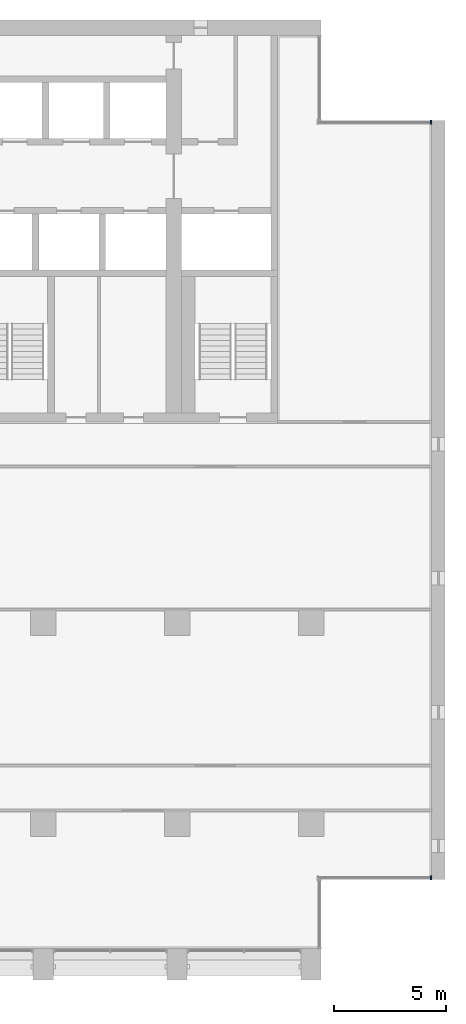
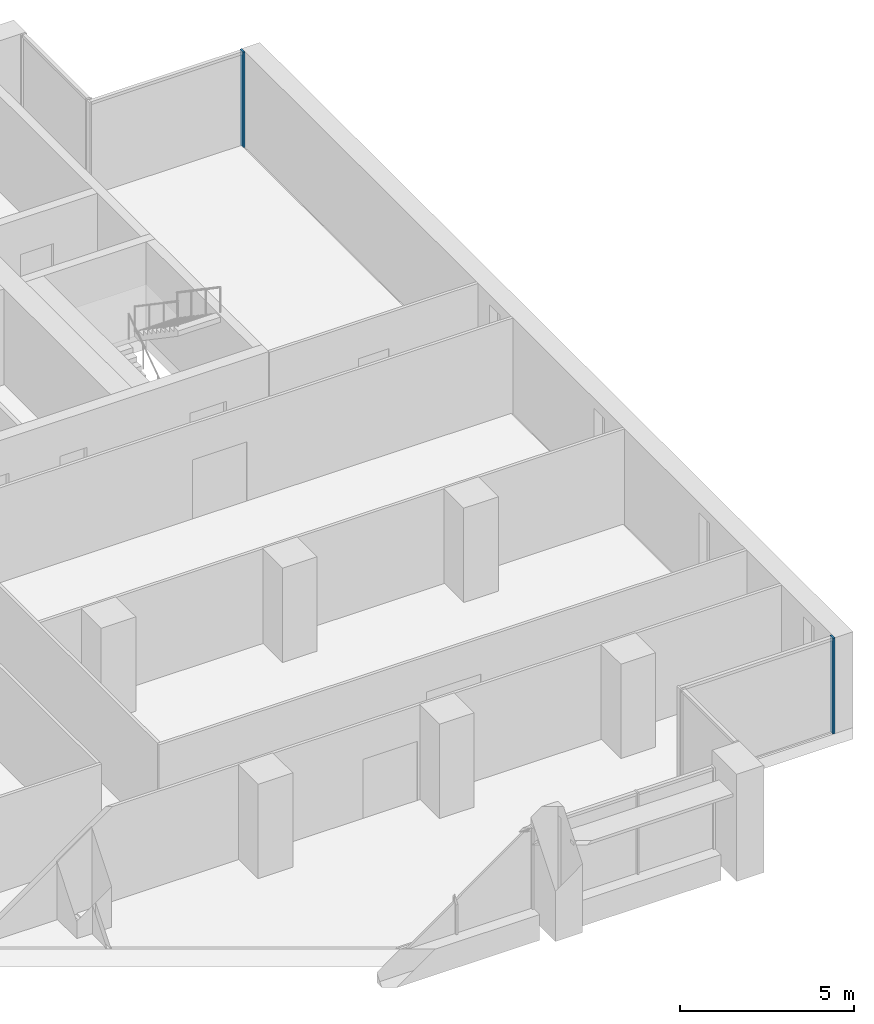
# One storey, part 6 of 16: 2 members, 2 elements without a shape of their own.
"""IFC4 building model written with IfcOpenShell, lengths in metres."""

import ifcopenshell
import ifcopenshell.guid

model = None  # the IFC model being written
_history = None  # IfcOwnerHistory: only IFC2X3 demands one
_inside = {}  # id of a spatial element -> (the spatial element, [elements in it])
_under = {}  # id of a project, library or spatial element -> (it, [spatial elements below it])
_declared = {}  # id of a project -> (the project, [libraries it declares])
_typed = {}  # id of a type object -> (the type object, [elements of that type])
_made_of = {}  # id of a material, layer set ... -> (it, [elements and type objects made of it])


def new_model(schema):
    """Start an empty IFC model of exactly this schema.

    Asked for "IFC4X3", IfcOpenShell would pick the latest addendum, in which some entities
    have other attributes; the version numbers below select the first issue.
    IFC2X3 requires an IfcOwnerHistory on every rooted entity: one is made here for all.
    """
    global model, _history
    if schema == "IFC4X3":
        model = ifcopenshell.file(schema_version=(4, 3, 0, 0))
    else:
        model = ifcopenshell.file(schema=schema)
    _inside.clear()
    _under.clear()
    _declared.clear()
    _typed.clear()
    _made_of.clear()
    _history = None
    if model.schema == "IFC2X3":
        org = make("IfcOrganization", Name="unknown")
        user = make(
            "IfcPersonAndOrganization",
            ThePerson=make("IfcPerson", FamilyName="unknown"),
            TheOrganization=org,
        )
        app = make(
            "IfcApplication",
            ApplicationDeveloper=org,
            Version="unknown",
            ApplicationFullName="unknown",
            ApplicationIdentifier="unknown",
        )
        _history = make(
            "IfcOwnerHistory",
            OwningUser=user,
            OwningApplication=app,
            ChangeAction="ADDED",
            CreationDate=0,
        )
    return model


def make(cls, **values):
    """One entity of the class cls with the attributes given. An attribute that is None is left unset."""
    return model.create_entity(
        cls, **{name: value for name, value in values.items() if value is not None}
    )


def rooted(cls, **values):
    """An entity with a GlobalId (a new one), such as an element, a storey or a relation."""
    return make(cls, GlobalId=ifcopenshell.guid.new(), OwnerHistory=_history, **values)


def si_unit(unit_type, name, prefix=None):
    """IfcSIUnit, for example si_unit("LENGTHUNIT", "METRE", prefix="MILLI")."""
    return make("IfcSIUnit", UnitType=unit_type, Prefix=prefix, Name=name)


def assignment(units):
    """IfcUnitAssignment: the units of a project."""
    return None if units is None else make("IfcUnitAssignment", Units=units)


def point(xyz):
    """IfcCartesianPoint."""
    return None if xyz is None else make("IfcCartesianPoint", Coordinates=xyz)


def direction(xyz):
    """IfcDirection."""
    return None if xyz is None else make("IfcDirection", DirectionRatios=xyz)


def frame(location, z_axis=None, x_axis=None):
    """IfcAxis2Placement3D, a coordinate frame: its origin and axes. An axis left out is left unset."""
    return make(
        "IfcAxis2Placement3D",
        Location=point(location),
        Axis=direction(z_axis),
        RefDirection=direction(x_axis),
    )


def frame_2d(location, x_axis=None):
    """IfcAxis2Placement2D, a coordinate frame in the plane: its origin and x axis."""
    return make(
        "IfcAxis2Placement2D", Location=point(location), RefDirection=direction(x_axis)
    )


def origin():
    """The frame at (0, 0, 0) with its axes left unset."""
    return frame((0.0, 0.0, 0.0))


def origin_2d():
    """The frame at (0, 0) in the plane with its x axis left unset."""
    return frame_2d((0.0, 0.0))


def place(relative_to, where):
    """IfcLocalPlacement: puts the frame where relative to a parent placement (None: the world)."""
    return make(
        "IfcLocalPlacement", PlacementRelTo=relative_to, RelativePlacement=where
    )


def context(
    kind, dimensions, precision=None, world=None, true_north=None, identifier=None
):
    """IfcGeometricRepresentationContext, for example the 3D "Model" context."""
    return make(
        "IfcGeometricRepresentationContext",
        ContextIdentifier=identifier,
        ContextType=kind,
        CoordinateSpaceDimension=dimensions,
        Precision=precision,
        WorldCoordinateSystem=world,
        TrueNorth=true_north,
    )


def subcontext(parent, identifier, kind, view, scale=None):
    """IfcGeometricRepresentationSubContext, for example "Body" below "Model"."""
    return make(
        "IfcGeometricRepresentationSubContext",
        ContextIdentifier=identifier,
        ContextType=kind,
        ParentContext=parent,
        TargetScale=scale,
        TargetView=view,
    )


def project(units=None, contexts=None):
    """IfcProject with its units and contexts."""
    return rooted(
        "IfcProject",
        Name="project",
        RepresentationContexts=contexts,
        UnitsInContext=assignment(units),
    )


def spatial(cls, under=None, at=None, **own):
    """A site, building, storey or space (cls), placed at a placement, below another one or the project."""
    s = rooted(cls, ObjectPlacement=at, **own)
    if under is not None:
        _under.setdefault(under.id(), (under, []))[1].append(s)
    return s


def profile(cls, at=None, kind="AREA", **sizes):
    """A parametric profile (cls). Its sizes go by their IFC names, for example OverallWidth=200.0."""
    return make(cls, ProfileType=kind, Position=at, **sizes)


def rectangle(**sizes):
    """IfcRectangleProfileDef."""
    return profile("IfcRectangleProfileDef", **sizes)


def extrude(swept, where, along, depth):
    """IfcExtrudedAreaSolid: the profile swept, set in the frame where, extruded along a direction by depth."""
    return make(
        "IfcExtrudedAreaSolid",
        SweptArea=swept,
        Position=where,
        ExtrudedDirection=direction(along),
        Depth=depth,
    )


def shape(context_of_items, identifier, shape_type, items):
    """IfcShapeRepresentation: the items that make up one representation, for example the "Body"."""
    return make(
        "IfcShapeRepresentation",
        ContextOfItems=context_of_items,
        RepresentationIdentifier=identifier,
        RepresentationType=shape_type,
        Items=items,
    )


def material(Name=None, Category=None):
    """IfcMaterial."""
    return make("IfcMaterial", Name=Name, Category=Category)


def material_profile(
    of_material, cross_section, Name=None, Category=None, Priority=None
):
    """IfcMaterialProfile: a cross section and its material."""
    return make(
        "IfcMaterialProfile",
        Name=Name,
        Material=of_material,
        Profile=cross_section,
        Priority=Priority,
        Category=Category,
    )


def profile_set(profiles, Name=None, composite=None):
    """IfcMaterialProfileSet."""
    return make(
        "IfcMaterialProfileSet",
        Name=Name,
        MaterialProfiles=profiles,
        CompositeProfile=composite,
    )


def made_of(thing, what):
    """Note that an element or type object is made of a material, layer set ...; save() writes the relation."""
    if what is not None:
        _made_of.setdefault(what.id(), (what, []))[1].append(thing)
    return thing


def type_object(cls, material=None, **own):
    """A type object (cls), such as IfcWallType, which elements share."""
    return made_of(rooted(cls, **own), material)


def element(
    cls,
    number,
    at=None,
    inside=None,
    cuts=None,
    type_object=None,
    material=None,
    context=None,
    identifier="Body",
    shape_type=None,
    held_by="IfcProductDefinitionShape",
    body=None,
    shapes=None,
    **own,
):
    """One element of the class cls, such as IfcWall. Its Tag is "e" and its number.

    at: its placement. inside: the storey or other place that contains it. cuts: it is an
    opening in that element (IfcRelVoidsElement). A single representation is given by context,
    identifier, shape_type and body (its items); several are given by shapes. held_by: the class
    of the entity that holds the representations. save() writes the other relations.
    """
    e = rooted(cls, Tag="e%d" % number, ObjectPlacement=at, **own)
    if body is not None:
        shapes = [shape(context, identifier, shape_type, body)]
    if shapes is not None:
        e.Representation = make(held_by, Representations=shapes)
    if inside is not None:
        _inside.setdefault(inside.id(), (inside, []))[1].append(e)
    if cuts is not None:
        rooted(
            "IfcRelVoidsElement", RelatingBuildingElement=cuts, RelatedOpeningElement=e
        )
    if type_object is not None:
        _typed.setdefault(type_object.id(), (type_object, []))[1].append(e)
    return made_of(e, material)


def aggregate(whole, parts):
    """IfcRelAggregates: a whole, such as a stair, and the parts it consists of."""
    return rooted("IfcRelAggregates", RelatingObject=whole, RelatedObjects=parts)


def save(model, path):
    """Write the relations noted so far, then the file.

    IfcRelAggregates (storeys below a building ...), IfcRelContainedInSpatialStructure (elements
    in a storey), IfcRelDefinesByType, IfcRelAssociatesMaterial and IfcRelDeclares: one each for
    every whole, place, type object, material and project.
    """
    for whole, parts in _under.values():
        aggregate(whole, parts)
    for where, things in _inside.values():
        rooted(
            "IfcRelContainedInSpatialStructure",
            RelatedElements=things,
            RelatingStructure=where,
        )
    for kind, things in _typed.values():
        rooted("IfcRelDefinesByType", RelatedObjects=things, RelatingType=kind)
    for what, things in _made_of.values():
        rooted("IfcRelAssociatesMaterial", RelatedObjects=things, RelatingMaterial=what)
    for by, libraries in _declared.values():
        rooted("IfcRelDeclares", RelatingContext=by, RelatedDefinitions=libraries)
    model.write(path)


model = new_model("IFC4")

# Units and contexts
model_context = context("Model", 3, precision=1e-05, world=origin(), true_north=direction((0.0, 1.0)))
body_context = subcontext(model_context, "Body", "Model", "MODEL_VIEW")
ifc_project = project(units=[si_unit("LENGTHUNIT", "METRE"), si_unit("AREAUNIT", "SQUARE_METRE"), si_unit("VOLUMEUNIT", "CUBIC_METRE"), si_unit("PLANEANGLEUNIT", "RADIAN"), si_unit("MASSUNIT", "GRAM", prefix="KILO")], contexts=[model_context])

# Site, building, storey
site_placement = place(None, origin())
site = spatial("IfcSite", under=ifc_project, at=site_placement, CompositionType="ELEMENT")
building_placement = place(site_placement, origin())
building = spatial("IfcBuilding", under=site, at=building_placement, Name="Calvaro Tower", CompositionType="ELEMENT")
storey_placement = place(building_placement, frame((0.0, 0.0, 181.75)))
storey = spatial("IfcBuildingStorey", under=building, at=storey_placement, Name="L45", CompositionType="ELEMENT", Elevation=181.75)

# Curtain wall, member
ifc_material_1 = material(Name="Anodised aluminium", Category="aluminium")
curtain_wall_type = type_object("IfcCurtainWallType", Name="Office curtain wall, upper zone", PredefinedType="NOTDEFINED", material=ifc_material_1)
curtain_wall_1_placement = place(storey_placement, origin())
curtain_wall_1 = element("IfcCurtainWall", 1, at=curtain_wall_1_placement, inside=storey, type_object=curtain_wall_type, Name="CW3 corner curtain wall", PredefinedType="NOTDEFINED")
ifc_material_2 = material(Name="Anodised aluminium", Category="aluminium")
ifc_material_profile = material_profile(ifc_material_2, rectangle(XDim=0.179931640625, YDim=0.06005859375, at=origin_2d()), Name="Mullion S3 60 x 180")
ifc_profile_set = profile_set([ifc_material_profile], Name="Anodised aluminium")
member_type = type_object("IfcMemberType", Name="Mullion S3 60 x 180", PredefinedType="MULLION", material=ifc_profile_set)
member_1_placement = place(storey_placement, frame((71.3701171875, 7.590087890625, 0.0), z_axis=(0.0, 0.0, 1.0), x_axis=(0.0, 1.0, 0.0)))
member_1 = element("IfcMember", 2, at=member_1_placement, type_object=member_type, Name="CW3 mullion 2", PredefinedType="MULLION", context=body_context, shape_type="SweptSolid", body=[
    extrude(rectangle(XDim=0.179931640625, YDim=0.06005859375, at=origin_2d()), origin(), (0.0, 0.0, 1.0), 3.35009765625),
])
aggregate(curtain_wall_1, [member_1])

curtain_wall_2_placement = place(storey_placement, origin())
curtain_wall_2 = element("IfcCurtainWall", 3, at=curtain_wall_2_placement, inside=storey, type_object=curtain_wall_type, Name="CW3 corner curtain wall", PredefinedType="NOTDEFINED")
member_2_placement = place(storey_placement, frame((71.3701171875, 41.409912109375, 0.0), z_axis=(0.0, 0.0, 1.0), x_axis=(0.0, 1.0, 0.0)))
member_2 = element("IfcMember", 4, at=member_2_placement, type_object=member_type, Name="CW3 mullion 2", PredefinedType="MULLION", context=body_context, shape_type="SweptSolid", body=[
    extrude(rectangle(XDim=0.179931640625, YDim=0.06005859375, at=origin_2d()), origin(), (0.0, 0.0, 1.0), 3.35009765625),
])
aggregate(curtain_wall_2, [member_2])

save(model, "model.ifc")
